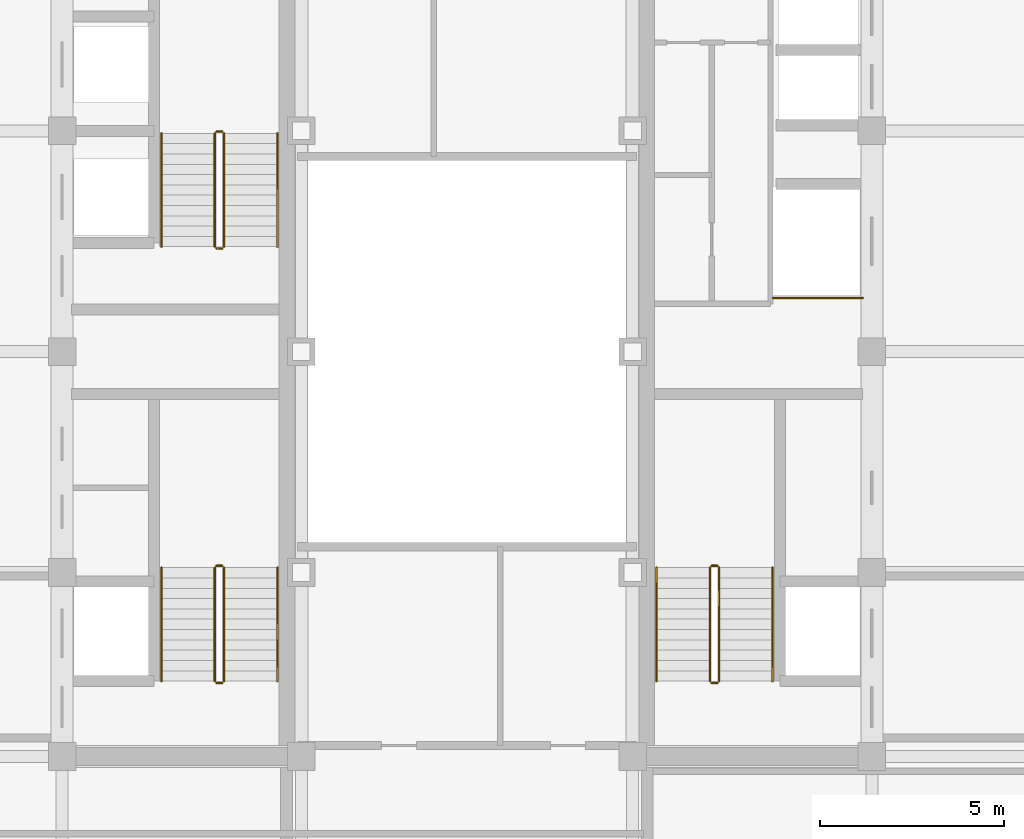
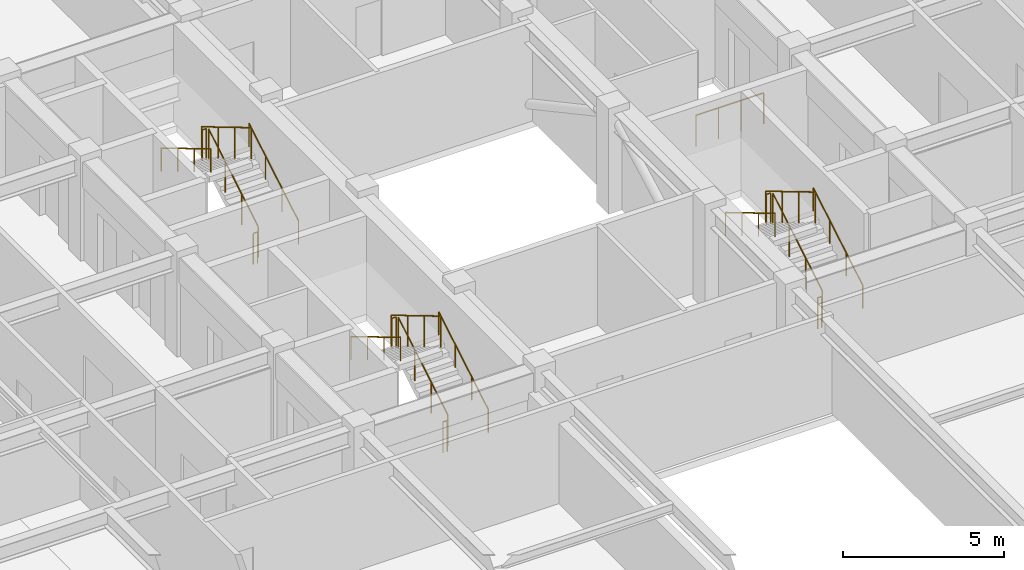
# One storey, part 29 of 29: 19 railings.
"""IFC4 building model written with IfcOpenShell, lengths in metres."""

from ifc_helpers import new_model, si_unit, direction, frame, origin, origin_2d, place, context, subcontext, project, spatial, circle, extrude, source, transform, mapped, material, type_object, element, save


model = new_model("IFC4")

# Units and contexts
model_context = context("Model", 3, precision=1e-05, world=origin(), true_north=direction((0.0, 1.0)))
body_context = subcontext(model_context, "Body", "Model", "MODEL_VIEW")
ifc_project = project(units=[si_unit("LENGTHUNIT", "METRE"), si_unit("AREAUNIT", "SQUARE_METRE"), si_unit("VOLUMEUNIT", "CUBIC_METRE"), si_unit("PLANEANGLEUNIT", "RADIAN"), si_unit("MASSUNIT", "GRAM", prefix="KILO")], contexts=[model_context])

# Site, building, storey
site_placement = place(None, origin())
site = spatial("IfcSite", under=ifc_project, at=site_placement, CompositionType="ELEMENT")
building_placement = place(site_placement, origin())
building = spatial("IfcBuilding", under=site, at=building_placement, Name="Khorayat Bourse Tower", CompositionType="ELEMENT")
storey_placement = place(building_placement, frame((0.0, 0.0, 350.300048828125)))
storey = spatial("IfcBuildingStorey", under=building, at=storey_placement, Name="L83", CompositionType="ELEMENT", Elevation=350.300048828125)

# Railings
ifc_material_1 = material(Name="Powder-coated steel balustrade", Category="steel")
railing_type_1 = type_object("IfcRailingType", Name="RLG-GUARD-1200", PredefinedType="GUARDRAIL", material=ifc_material_1)
shared_shape_1 = source(origin(), body_context, "Body", "SweptSolid", [
    extrude(circle(Radius=0.02392578125, at=origin_2d()), frame((0.0, 0.0, 1.17578125), z_axis=(-1.0, 0.0, 0.0), x_axis=(0.0, -1.0, 0.0)), (0.0, 0.0, 1.0), 0.150146484375),
    extrude(circle(Radius=0.02099609375, at=origin_2d()), origin(), (0.0, 0.0, 1.0), 1.15185546875),
    extrude(circle(Radius=0.02099609375, at=origin_2d()), frame((-0.150146484375, 0.0, 0.0)), (0.0, 0.0, 1.0), 1.15185546875),
])
for number, where, name in (
    (1, (-6.64990234375, -5.820068359375, 2.0), "L83 ST-1 stair guard 2"),
    (2, (-6.64990234375, -9.0, 0.0), "L83 ST-1 stair guard 4"),
    (3, (-6.64990234375, 5.97998046875, 2.0), "L83 ST-2 stair guard 2"),
    (4, (-6.64990234375, 2.800048828125, 0.0), "L83 ST-2 stair guard 4"),
    (5, (6.800048828125, -5.820068359375, 2.0), "L83 ST-3 stair guard 2"),
    (6, (6.800048828125, -9.0, 0.0), "L83 ST-3 stair guard 4"),
):
    element("IfcRailing", number, at=place(storey_placement, frame(where)), inside=storey, type_object=railing_type_1, Name=name, PredefinedType="GUARDRAIL", context=body_context, shape_type="MappedRepresentation", body=[
        mapped(shared_shape_1, transform((0.0, 0.0, 0.0), scale=1.0)),
    ])
shared_shape_2 = source(origin(), body_context, "Body", "SweptSolid", [
    extrude(circle(Radius=0.02392578125, at=origin_2d()), frame((0.0, 0.0, 1.17578125), z_axis=(0.0, 0.859260807169, 0.511537745687), x_axis=(-1.0, 0.0, 0.0)), (0.0, 0.0, 1.0), 3.584228515625),
    extrude(circle(Radius=0.02099609375, at=origin_2d()), origin(), (0.0, 0.0, 1.0), 1.15185546875),
    extrude(circle(Radius=0.02099609375, at=origin_2d()), frame((0.0, 1.026611328125, 0.611083984375)), (0.0, 0.0, 1.0), 1.15185546875),
    extrude(circle(Radius=0.02099609375, at=origin_2d()), frame((0.0, 2.05322265625, 1.222412109375)), (0.0, 0.0, 1.0), 1.15185546875),
    extrude(circle(Radius=0.02099609375, at=origin_2d()), frame((0.0, 3.079833984375, 1.83349609375)), (0.0, 0.0, 1.0), 1.15185546875),
])
for number, where, name in (
    (7, (-6.60009765625, -8.949951171875, 0.16650390625), "L83 ST-1 stair guard 1"),
    (8, (-6.60009765625, 2.85009765625, 0.16650390625), "L83 ST-2 stair guard 1"),
    (9, (6.85009765625, -8.949951171875, 0.16650390625), "L83 ST-3 stair guard 1"),
):
    element("IfcRailing", number, at=place(storey_placement, frame(where)), inside=storey, type_object=railing_type_1, Name=name, PredefinedType="GUARDRAIL", context=body_context, shape_type="MappedRepresentation", body=[
        mapped(shared_shape_2, transform((0.0, 0.0, 0.0), scale=1.0)),
    ])
shared_shape_3 = source(origin(), body_context, "Body", "SweptSolid", [
    extrude(circle(Radius=0.02392578125, at=origin_2d()), frame((0.0, 0.0, 1.17578125), z_axis=(0.0, -0.859260807169, 0.511537745687), x_axis=(1.0, 0.0, 0.0)), (0.0, 0.0, 1.0), 3.584228515625),
    extrude(circle(Radius=0.02099609375, at=origin_2d()), origin(), (0.0, 0.0, 1.0), 1.15185546875),
    extrude(circle(Radius=0.02099609375, at=origin_2d()), frame((0.0, -1.026611328125, 0.611083984375)), (0.0, 0.0, 1.0), 1.15185546875),
    extrude(circle(Radius=0.02099609375, at=origin_2d()), frame((0.0, -2.05322265625, 1.222412109375)), (0.0, 0.0, 1.0), 1.15185546875),
    extrude(circle(Radius=0.02099609375, at=origin_2d()), frame((0.0, -3.079833984375, 1.83349609375)), (0.0, 0.0, 1.0), 1.15185546875),
])
for number, where, name in (
    (10, (-6.85009765625, -5.8701171875, 2.16650390625), "L83 ST-1 stair guard 3"),
    (11, (-6.85009765625, 5.929931640625, 2.16650390625), "L83 ST-2 stair guard 3"),
    (12, (6.60009765625, -5.8701171875, 2.16650390625), "L83 ST-3 stair guard 3"),
):
    element("IfcRailing", number, at=place(storey_placement, frame(where)), inside=storey, type_object=railing_type_1, Name=name, PredefinedType="GUARDRAIL", context=body_context, shape_type="MappedRepresentation", body=[
        mapped(shared_shape_3, transform((0.0, 0.0, 0.0), scale=1.0)),
    ])
ifc_material_2 = material(Name="Brushed bronze stainless-steel handrail", Category="steel")
railing_type_2 = type_object("IfcRailingType", Name="RLG-HAND-900", PredefinedType="HANDRAIL", material=ifc_material_2)
shared_shape_4 = source(origin(), body_context, "Body", "SweptSolid", [
    extrude(circle(Radius=0.02392578125, at=origin_2d()), frame((0.0, 0.0, 0.8759765625), z_axis=(0.0, 0.859260807169, 0.511537745687), x_axis=(-1.0, 0.0, 0.0)), (0.0, 0.0, 1.0), 3.584228515625),
    extrude(circle(Radius=0.02099609375, at=origin_2d()), origin(), (0.0, 0.0, 1.0), 0.851806640625),
    extrude(circle(Radius=0.02099609375, at=origin_2d()), frame((0.0, 1.026611328125, 0.611083984375)), (0.0, 0.0, 1.0), 0.851806640625),
    extrude(circle(Radius=0.02099609375, at=origin_2d()), frame((0.0, 2.05322265625, 1.222412109375)), (0.0, 0.0, 1.0), 0.851806640625),
    extrude(circle(Radius=0.02099609375, at=origin_2d()), frame((0.0, 3.079833984375, 1.83349609375)), (0.0, 0.0, 1.0), 0.851806640625),
])
for number, where, name in (
    (13, (-5.14990234375, -8.949951171875, 0.16650390625), "L83 ST-1 stair handrail 1"),
    (14, (-5.14990234375, 2.85009765625, 0.16650390625), "L83 ST-2 stair handrail 1"),
    (15, (8.300048828125, -8.949951171875, 0.16650390625), "L83 ST-3 stair handrail 1"),
):
    element("IfcRailing", number, at=place(storey_placement, frame(where)), inside=storey, type_object=railing_type_2, Name=name, PredefinedType="HANDRAIL", context=body_context, shape_type="MappedRepresentation", body=[
        mapped(shared_shape_4, transform((0.0, 0.0, 0.0), scale=1.0)),
    ])
shared_shape_5 = source(origin(), body_context, "Body", "SweptSolid", [
    extrude(circle(Radius=0.02392578125, at=origin_2d()), frame((0.0, 0.0, 0.8759765625), z_axis=(0.0, -0.859260807169, 0.511537745687), x_axis=(1.0, 0.0, 0.0)), (0.0, 0.0, 1.0), 3.584228515625),
    extrude(circle(Radius=0.02099609375, at=origin_2d()), origin(), (0.0, 0.0, 1.0), 0.851806640625),
    extrude(circle(Radius=0.02099609375, at=origin_2d()), frame((0.0, -1.026611328125, 0.611083984375)), (0.0, 0.0, 1.0), 0.851806640625),
    extrude(circle(Radius=0.02099609375, at=origin_2d()), frame((0.0, -2.05322265625, 1.222412109375)), (0.0, 0.0, 1.0), 0.851806640625),
    extrude(circle(Radius=0.02099609375, at=origin_2d()), frame((0.0, -3.079833984375, 1.83349609375)), (0.0, 0.0, 1.0), 0.851806640625),
])
for number, where, name in (
    (16, (-8.300048828125, -5.8701171875, 2.16650390625), "L83 ST-1 stair handrail 2"),
    (17, (-8.300048828125, 5.929931640625, 2.16650390625), "L83 ST-2 stair handrail 2"),
    (18, (5.14990234375, -5.8701171875, 2.16650390625), "L83 ST-3 stair handrail 2"),
):
    element("IfcRailing", number, at=place(storey_placement, frame(where)), inside=storey, type_object=railing_type_2, Name=name, PredefinedType="HANDRAIL", context=body_context, shape_type="MappedRepresentation", body=[
        mapped(shared_shape_5, transform((0.0, 0.0, 0.0), scale=1.0)),
    ])
shared_shape_6 = source(origin(), body_context, "Body", "SweptSolid", [
    extrude(circle(Radius=0.02392578125, at=origin_2d()), frame((0.0, 0.0, 1.17578125), z_axis=(1.0, 0.0, 0.0), x_axis=(0.0, 1.0, 0.0)), (0.0, 0.0, 1.0), 2.429931640625),
    extrude(circle(Radius=0.02099609375, at=origin_2d()), origin(), (0.0, 0.0, 1.0), 1.15185546875),
    extrude(circle(Radius=0.02099609375, at=origin_2d()), frame((0.81005859375, 0.0, 0.0)), (0.0, 0.0, 1.0), 1.15185546875),
    extrude(circle(Radius=0.02099609375, at=origin_2d()), frame((1.619873046875, 0.0, 0.0)), (0.0, 0.0, 1.0), 1.15185546875),
    extrude(circle(Radius=0.02099609375, at=origin_2d()), frame((2.429931640625, 0.0, 0.0)), (0.0, 0.0, 1.0), 1.15185546875),
])
railing_placement = place(storey_placement, frame((8.320068359375, 1.4599609375, 0.0)))
element("IfcRailing", 19, at=railing_placement, inside=storey, type_object=railing_type_1, Name="L83 Goods Shaft Opening Guardrail", PredefinedType="GUARDRAIL", context=body_context, shape_type="MappedRepresentation", body=[
    mapped(shared_shape_6, transform((0.0, 0.0, 0.0), scale=1.0)),
])

save(model, "model.ifc")
